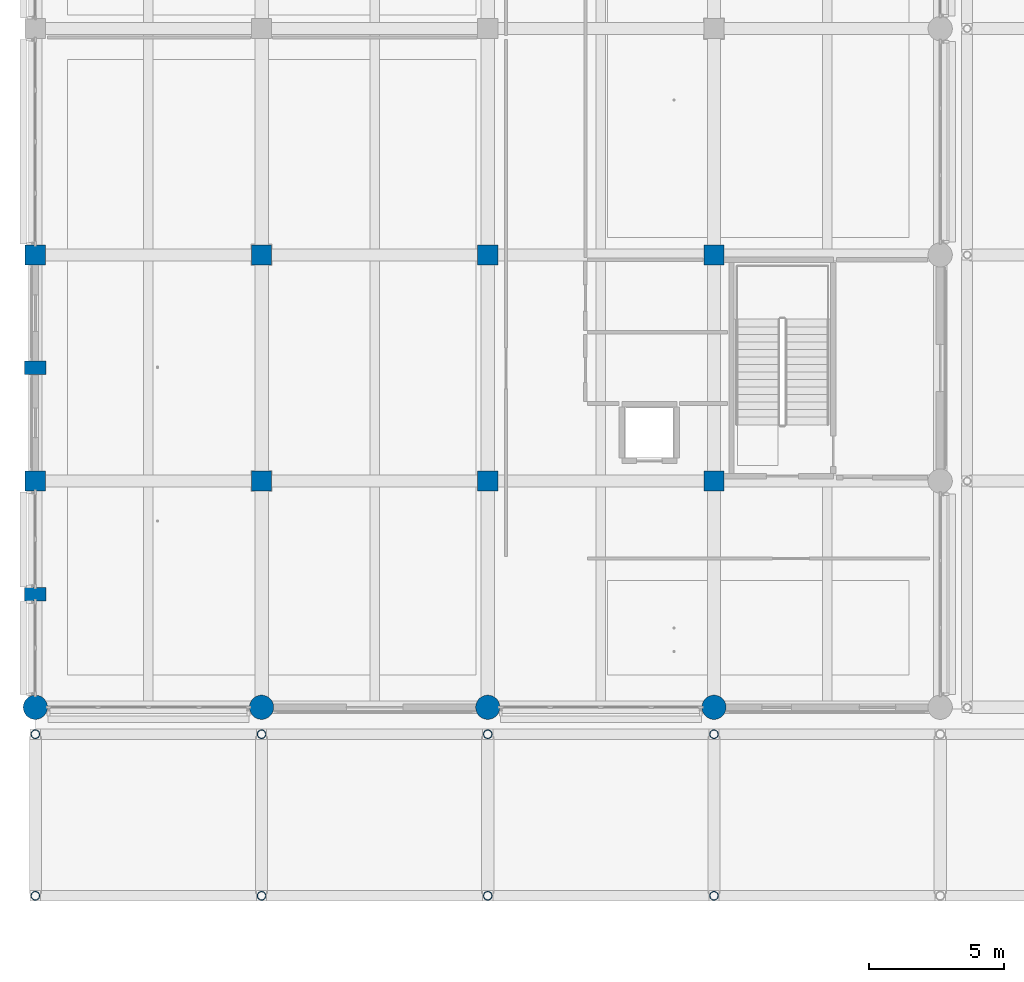
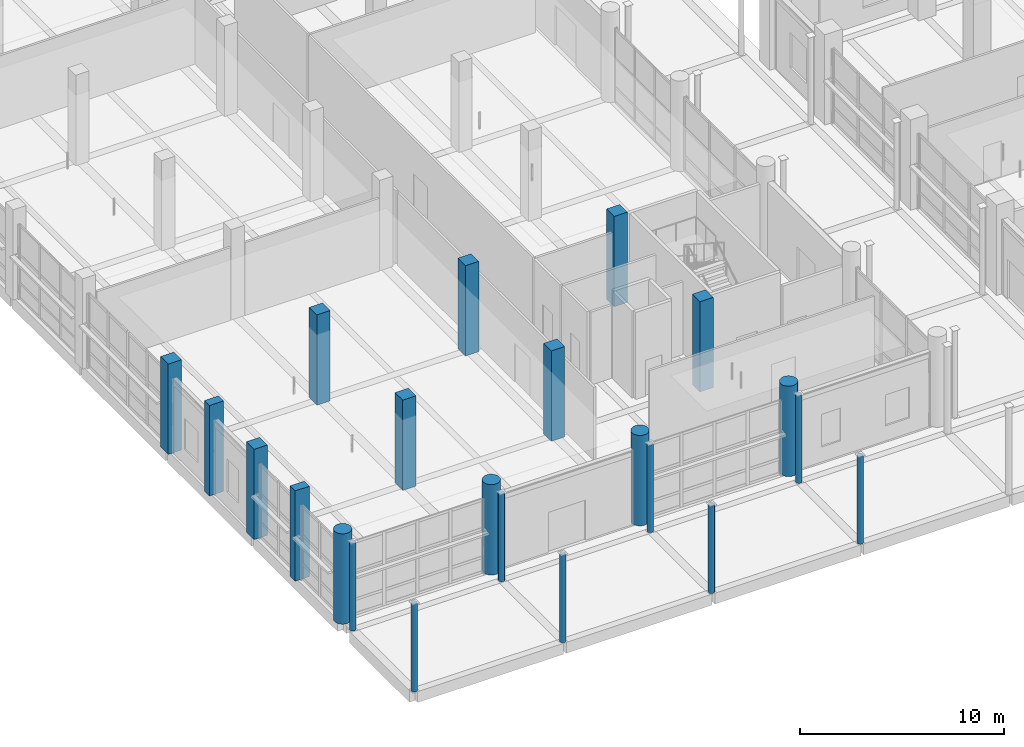
# One storey, part 1 of 140: 22 columns.
"""IFC4 building model written with IfcOpenShell, lengths in metres."""

import ifcopenshell
import ifcopenshell.guid

model = None  # the IFC model being written
_history = None  # IfcOwnerHistory: only IFC2X3 demands one
_inside = {}  # id of a spatial element -> (the spatial element, [elements in it])
_under = {}  # id of a project, library or spatial element -> (it, [spatial elements below it])
_declared = {}  # id of a project -> (the project, [libraries it declares])
_typed = {}  # id of a type object -> (the type object, [elements of that type])
_made_of = {}  # id of a material, layer set ... -> (it, [elements and type objects made of it])


def new_model(schema):
    """Start an empty IFC model of exactly this schema.

    Asked for "IFC4X3", IfcOpenShell would pick the latest addendum, in which some entities
    have other attributes; the version numbers below select the first issue.
    IFC2X3 requires an IfcOwnerHistory on every rooted entity: one is made here for all.
    """
    global model, _history
    if schema == "IFC4X3":
        model = ifcopenshell.file(schema_version=(4, 3, 0, 0))
    else:
        model = ifcopenshell.file(schema=schema)
    _inside.clear()
    _under.clear()
    _declared.clear()
    _typed.clear()
    _made_of.clear()
    _history = None
    if model.schema == "IFC2X3":
        org = make("IfcOrganization", Name="unknown")
        user = make(
            "IfcPersonAndOrganization",
            ThePerson=make("IfcPerson", FamilyName="unknown"),
            TheOrganization=org,
        )
        app = make(
            "IfcApplication",
            ApplicationDeveloper=org,
            Version="unknown",
            ApplicationFullName="unknown",
            ApplicationIdentifier="unknown",
        )
        _history = make(
            "IfcOwnerHistory",
            OwningUser=user,
            OwningApplication=app,
            ChangeAction="ADDED",
            CreationDate=0,
        )
    return model


def make(cls, **values):
    """One entity of the class cls with the attributes given. An attribute that is None is left unset."""
    return model.create_entity(
        cls, **{name: value for name, value in values.items() if value is not None}
    )


def rooted(cls, **values):
    """An entity with a GlobalId (a new one), such as an element, a storey or a relation."""
    return make(cls, GlobalId=ifcopenshell.guid.new(), OwnerHistory=_history, **values)


def si_unit(unit_type, name, prefix=None):
    """IfcSIUnit, for example si_unit("LENGTHUNIT", "METRE", prefix="MILLI")."""
    return make("IfcSIUnit", UnitType=unit_type, Prefix=prefix, Name=name)


def assignment(units):
    """IfcUnitAssignment: the units of a project."""
    return None if units is None else make("IfcUnitAssignment", Units=units)


def point(xyz):
    """IfcCartesianPoint."""
    return None if xyz is None else make("IfcCartesianPoint", Coordinates=xyz)


def direction(xyz):
    """IfcDirection."""
    return None if xyz is None else make("IfcDirection", DirectionRatios=xyz)


def frame(location, z_axis=None, x_axis=None):
    """IfcAxis2Placement3D, a coordinate frame: its origin and axes. An axis left out is left unset."""
    return make(
        "IfcAxis2Placement3D",
        Location=point(location),
        Axis=direction(z_axis),
        RefDirection=direction(x_axis),
    )


def frame_2d(location, x_axis=None):
    """IfcAxis2Placement2D, a coordinate frame in the plane: its origin and x axis."""
    return make(
        "IfcAxis2Placement2D", Location=point(location), RefDirection=direction(x_axis)
    )


def origin():
    """The frame at (0, 0, 0) with its axes left unset."""
    return frame((0.0, 0.0, 0.0))


def origin_2d():
    """The frame at (0, 0) in the plane with its x axis left unset."""
    return frame_2d((0.0, 0.0))


def place(relative_to, where):
    """IfcLocalPlacement: puts the frame where relative to a parent placement (None: the world)."""
    return make(
        "IfcLocalPlacement", PlacementRelTo=relative_to, RelativePlacement=where
    )


def context(
    kind, dimensions, precision=None, world=None, true_north=None, identifier=None
):
    """IfcGeometricRepresentationContext, for example the 3D "Model" context."""
    return make(
        "IfcGeometricRepresentationContext",
        ContextIdentifier=identifier,
        ContextType=kind,
        CoordinateSpaceDimension=dimensions,
        Precision=precision,
        WorldCoordinateSystem=world,
        TrueNorth=true_north,
    )


def subcontext(parent, identifier, kind, view, scale=None):
    """IfcGeometricRepresentationSubContext, for example "Body" below "Model"."""
    return make(
        "IfcGeometricRepresentationSubContext",
        ContextIdentifier=identifier,
        ContextType=kind,
        ParentContext=parent,
        TargetScale=scale,
        TargetView=view,
    )


def project(units=None, contexts=None):
    """IfcProject with its units and contexts."""
    return rooted(
        "IfcProject",
        Name="project",
        RepresentationContexts=contexts,
        UnitsInContext=assignment(units),
    )


def spatial(cls, under=None, at=None, **own):
    """A site, building, storey or space (cls), placed at a placement, below another one or the project."""
    s = rooted(cls, ObjectPlacement=at, **own)
    if under is not None:
        _under.setdefault(under.id(), (under, []))[1].append(s)
    return s


def profile(cls, at=None, kind="AREA", **sizes):
    """A parametric profile (cls). Its sizes go by their IFC names, for example OverallWidth=200.0."""
    return make(cls, ProfileType=kind, Position=at, **sizes)


def rectangle(**sizes):
    """IfcRectangleProfileDef."""
    return profile("IfcRectangleProfileDef", **sizes)


def circle(**sizes):
    """IfcCircleProfileDef."""
    return profile("IfcCircleProfileDef", **sizes)


def hollow_circle(**sizes):
    """IfcCircleHollowProfileDef."""
    return profile("IfcCircleHollowProfileDef", **sizes)


def extrude(swept, where, along, depth):
    """IfcExtrudedAreaSolid: the profile swept, set in the frame where, extruded along a direction by depth."""
    return make(
        "IfcExtrudedAreaSolid",
        SweptArea=swept,
        Position=where,
        ExtrudedDirection=direction(along),
        Depth=depth,
    )


def shape(context_of_items, identifier, shape_type, items):
    """IfcShapeRepresentation: the items that make up one representation, for example the "Body"."""
    return make(
        "IfcShapeRepresentation",
        ContextOfItems=context_of_items,
        RepresentationIdentifier=identifier,
        RepresentationType=shape_type,
        Items=items,
    )


def material(Name=None, Category=None):
    """IfcMaterial."""
    return make("IfcMaterial", Name=Name, Category=Category)


def material_profile(
    of_material, cross_section, Name=None, Category=None, Priority=None
):
    """IfcMaterialProfile: a cross section and its material."""
    return make(
        "IfcMaterialProfile",
        Name=Name,
        Material=of_material,
        Profile=cross_section,
        Priority=Priority,
        Category=Category,
    )


def profile_set(profiles, Name=None, composite=None):
    """IfcMaterialProfileSet."""
    return make(
        "IfcMaterialProfileSet",
        Name=Name,
        MaterialProfiles=profiles,
        CompositeProfile=composite,
    )


def made_of(thing, what):
    """Note that an element or type object is made of a material, layer set ...; save() writes the relation."""
    if what is not None:
        _made_of.setdefault(what.id(), (what, []))[1].append(thing)
    return thing


def type_object(cls, material=None, **own):
    """A type object (cls), such as IfcWallType, which elements share."""
    return made_of(rooted(cls, **own), material)


def element(
    cls,
    number,
    at=None,
    inside=None,
    cuts=None,
    type_object=None,
    material=None,
    context=None,
    identifier="Body",
    shape_type=None,
    held_by="IfcProductDefinitionShape",
    body=None,
    shapes=None,
    **own,
):
    """One element of the class cls, such as IfcWall. Its Tag is "e" and its number.

    at: its placement. inside: the storey or other place that contains it. cuts: it is an
    opening in that element (IfcRelVoidsElement). A single representation is given by context,
    identifier, shape_type and body (its items); several are given by shapes. held_by: the class
    of the entity that holds the representations. save() writes the other relations.
    """
    e = rooted(cls, Tag="e%d" % number, ObjectPlacement=at, **own)
    if body is not None:
        shapes = [shape(context, identifier, shape_type, body)]
    if shapes is not None:
        e.Representation = make(held_by, Representations=shapes)
    if inside is not None:
        _inside.setdefault(inside.id(), (inside, []))[1].append(e)
    if cuts is not None:
        rooted(
            "IfcRelVoidsElement", RelatingBuildingElement=cuts, RelatedOpeningElement=e
        )
    if type_object is not None:
        _typed.setdefault(type_object.id(), (type_object, []))[1].append(e)
    return made_of(e, material)


def aggregate(whole, parts):
    """IfcRelAggregates: a whole, such as a stair, and the parts it consists of."""
    return rooted("IfcRelAggregates", RelatingObject=whole, RelatedObjects=parts)


def save(model, path):
    """Write the relations noted so far, then the file.

    IfcRelAggregates (storeys below a building ...), IfcRelContainedInSpatialStructure (elements
    in a storey), IfcRelDefinesByType, IfcRelAssociatesMaterial and IfcRelDeclares: one each for
    every whole, place, type object, material and project.
    """
    for whole, parts in _under.values():
        aggregate(whole, parts)
    for where, things in _inside.values():
        rooted(
            "IfcRelContainedInSpatialStructure",
            RelatedElements=things,
            RelatingStructure=where,
        )
    for kind, things in _typed.values():
        rooted("IfcRelDefinesByType", RelatedObjects=things, RelatingType=kind)
    for what, things in _made_of.values():
        rooted("IfcRelAssociatesMaterial", RelatedObjects=things, RelatingMaterial=what)
    for by, libraries in _declared.values():
        rooted("IfcRelDeclares", RelatingContext=by, RelatedDefinitions=libraries)
    model.write(path)


model = new_model("IFC4")

# Units and contexts
model_context = context("Model", 3, precision=1e-05, world=origin(), true_north=direction((0.0, 1.0)))
body_context = subcontext(model_context, "Body", "Model", "MODEL_VIEW")
ifc_project = project(units=[si_unit("LENGTHUNIT", "METRE"), si_unit("AREAUNIT", "SQUARE_METRE"), si_unit("VOLUMEUNIT", "CUBIC_METRE"), si_unit("PLANEANGLEUNIT", "RADIAN"), si_unit("MASSUNIT", "GRAM", prefix="KILO")], contexts=[model_context])

# Site, building, storey
site_placement = place(None, origin())
site = spatial("IfcSite", under=ifc_project, at=site_placement, CompositionType="ELEMENT")
building_placement = place(site_placement, origin())
building = spatial("IfcBuilding", under=site, at=building_placement, Name="Telukmera Botanical Conservatory", CompositionType="ELEMENT")
storey_placement = place(building_placement, origin())
storey = spatial("IfcBuildingStorey", under=building, at=storey_placement, Name="L00", CompositionType="ELEMENT", Elevation=0.0)

# Columns
ifc_material_1 = material(Name="Concrete C40/50", Category="concrete")
ifc_material_profile_1 = material_profile(ifc_material_1, circle(Radius=0.449951171875, at=origin_2d()), Name="RC D900")
ifc_profile_set_1 = profile_set([ifc_material_profile_1], Name="Concrete C40/50")
column_type_1 = type_object("IfcColumnType", Name="Col_C16", PredefinedType="COLUMN", material=ifc_profile_set_1)
for number, where, z_axis, x_axis, name in (
    (1, (8.39990234375, 17.60009765625, 0.0), (0.0, 0.0, 1.0), (1.0, 0.0, 0.0), "Column V3-L00 (8.4,17.6)"),
    (2, (16.800048828125, 17.60009765625, 0.0), (0.0, 0.0, 1.0), (1.0, 0.0, 0.0), "Column V3-L00 (16.8,17.6)"),
    (3, (25.199951171875, 17.60009765625, 0.0), (0.0, 0.0, 1.0), (1.0, 0.0, 0.0), "Column V3-L00 (25.2,17.6)"),
    (4, (33.60009765625, 17.60009765625, 0.0), (0.0, 0.0, 1.0), (1.0, 0.0, 0.0), "Column V3-L00 (33.6,17.6)"),
):
    element("IfcColumn", number, at=place(storey_placement, frame(where, z_axis=z_axis, x_axis=x_axis)), inside=storey, type_object=column_type_1, Name=name, PredefinedType="COLUMN", context=body_context, shape_type="SweptSolid", body=[
        extrude(circle(Radius=0.449951171875, at=origin_2d()), origin(), (0.0, 0.0, 1.0), 5.39990234375),
    ])
ifc_material_profile_2 = material_profile(ifc_material_1, rectangle(XDim=0.75, YDim=0.75, at=origin_2d()), Name="RC 750x750")
ifc_profile_set_2 = profile_set([ifc_material_profile_2], Name="Concrete C40/50")
column_type_2 = type_object("IfcColumnType", Name="Col_C8", PredefinedType="COLUMN", material=ifc_profile_set_2)
for number, where, z_axis, x_axis, name in (
    (5, (8.39990234375, 26.0, 0.0), (0.0, 0.0, 1.0), (1.0, 0.0, 0.0), "Column V3-L00 (8.4,26.0)"),
    (6, (8.39990234375, 34.39990234375, 0.0), (0.0, 0.0, 1.0), (1.0, 0.0, 0.0), "Column V3-L00 (8.4,34.4)"),
    (7, (16.800048828125, 26.0, 0.0), (0.0, 0.0, 1.0), (1.0, 0.0, 0.0), "Column V3-L00 (16.8,26.0)"),
    (8, (16.800048828125, 34.39990234375, 0.0), (0.0, 0.0, 1.0), (1.0, 0.0, 0.0), "Column V3-L00 (16.8,34.4)"),
    (9, (25.199951171875, 26.0, 0.0), (0.0, 0.0, 1.0), (1.0, 0.0, 0.0), "Column V3-L00 (25.2,26.0)"),
    (10, (25.199951171875, 34.39990234375, 0.0), (0.0, 0.0, 1.0), (1.0, 0.0, 0.0), "Column V3-L00 (25.2,34.4)"),
    (11, (33.60009765625, 26.0, 0.0), (0.0, 0.0, 1.0), (1.0, 0.0, 0.0), "Column V3-L00 (33.6,26.0)"),
    (12, (33.60009765625, 34.39990234375, 0.0), (0.0, 0.0, 1.0), (1.0, 0.0, 0.0), "Column V3-L00 (33.6,34.4)"),
):
    element("IfcColumn", number, at=place(storey_placement, frame(where, z_axis=z_axis, x_axis=x_axis)), inside=storey, type_object=column_type_2, Name=name, PredefinedType="COLUMN", context=body_context, shape_type="SweptSolid", body=[
        extrude(rectangle(XDim=0.75, YDim=0.75, at=origin_2d()), origin(), (0.0, 0.0, 1.0), 5.39990234375),
    ])
ifc_material_2 = material(Name="Precast concrete C40/50", Category="concrete")
ifc_material_profile_3 = material_profile(ifc_material_2, rectangle(XDim=0.800048828125, YDim=0.5, at=origin_2d()), Name="PC 800x500")
ifc_profile_set_3 = profile_set([ifc_material_profile_3], Name="Precast concrete C40/50")
column_type_3 = type_object("IfcColumnType", Name="Col_PLP1", PredefinedType="PILASTER", material=ifc_profile_set_3)
for number, where, z_axis, x_axis, name in (
    (13, (8.39990234375, 21.800048828125, 0.0), (0.0, 0.0, 1.0), (1.0, 0.0, 0.0), "Column V3-L00 (8.4,21.8)"),
    (14, (8.39990234375, 30.199951171875, 0.0), (0.0, 0.0, 1.0), (1.0, 0.0, 0.0), "Column V3-L00 (8.4,30.2)"),
):
    element("IfcColumn", number, at=place(storey_placement, frame(where, z_axis=z_axis, x_axis=x_axis)), inside=storey, type_object=column_type_3, Name=name, PredefinedType="PILASTER", context=body_context, shape_type="SweptSolid", body=[
        extrude(rectangle(XDim=0.800048828125, YDim=0.5, at=origin_2d()), origin(), (0.0, 0.0, 1.0), 5.39990234375),
    ])
ifc_material_3 = material(Name="Steel S355", Category="steel")
ifc_material_profile_4 = material_profile(ifc_material_3, hollow_circle(Radius=0.161865234375, WallThickness=0.012451171875, at=origin_2d()), Name="CHS 323.9x12.5")
ifc_profile_set_4 = profile_set([ifc_material_profile_4], Name="Steel S355")
column_type_4 = type_object("IfcColumnType", Name="Col_SC1", PredefinedType="COLUMN", material=ifc_profile_set_4)
for number, where, z_axis, x_axis, name in (
    (15, (8.39990234375, 10.60009765625, 0.0), (0.0, 0.0, 1.0), (1.0, 0.0, 0.0), "Column V5-L00 (8.4,10.6)"),
    (16, (8.39990234375, 16.60009765625, 0.0), (0.0, 0.0, 1.0), (1.0, 0.0, 0.0), "Column V5-L00 (8.4,16.6)"),
    (17, (16.800048828125, 10.60009765625, 0.0), (0.0, 0.0, 1.0), (1.0, 0.0, 0.0), "Column V5-L00 (16.8,10.6)"),
    (18, (16.800048828125, 16.60009765625, 0.0), (0.0, 0.0, 1.0), (1.0, 0.0, 0.0), "Column V5-L00 (16.8,16.6)"),
    (19, (25.199951171875, 10.60009765625, 0.0), (0.0, 0.0, 1.0), (1.0, 0.0, 0.0), "Column V5-L00 (25.2,10.6)"),
    (20, (25.199951171875, 16.60009765625, 0.0), (0.0, 0.0, 1.0), (1.0, 0.0, 0.0), "Column V5-L00 (25.2,16.6)"),
    (21, (33.60009765625, 10.60009765625, 0.0), (0.0, 0.0, 1.0), (1.0, 0.0, 0.0), "Column V5-L00 (33.6,10.6)"),
    (22, (33.60009765625, 16.60009765625, 0.0), (0.0, 0.0, 1.0), (1.0, 0.0, 0.0), "Column V5-L00 (33.6,16.6)"),
):
    element("IfcColumn", number, at=place(storey_placement, frame(where, z_axis=z_axis, x_axis=x_axis)), inside=storey, type_object=column_type_4, Name=name, PredefinedType="COLUMN", context=body_context, shape_type="SweptSolid", body=[
        extrude(hollow_circle(Radius=0.161865234375, WallThickness=0.012451171875, at=origin_2d()), origin(), (0.0, 0.0, 1.0), 5.239990234375),
    ])

save(model, "model.ifc")
